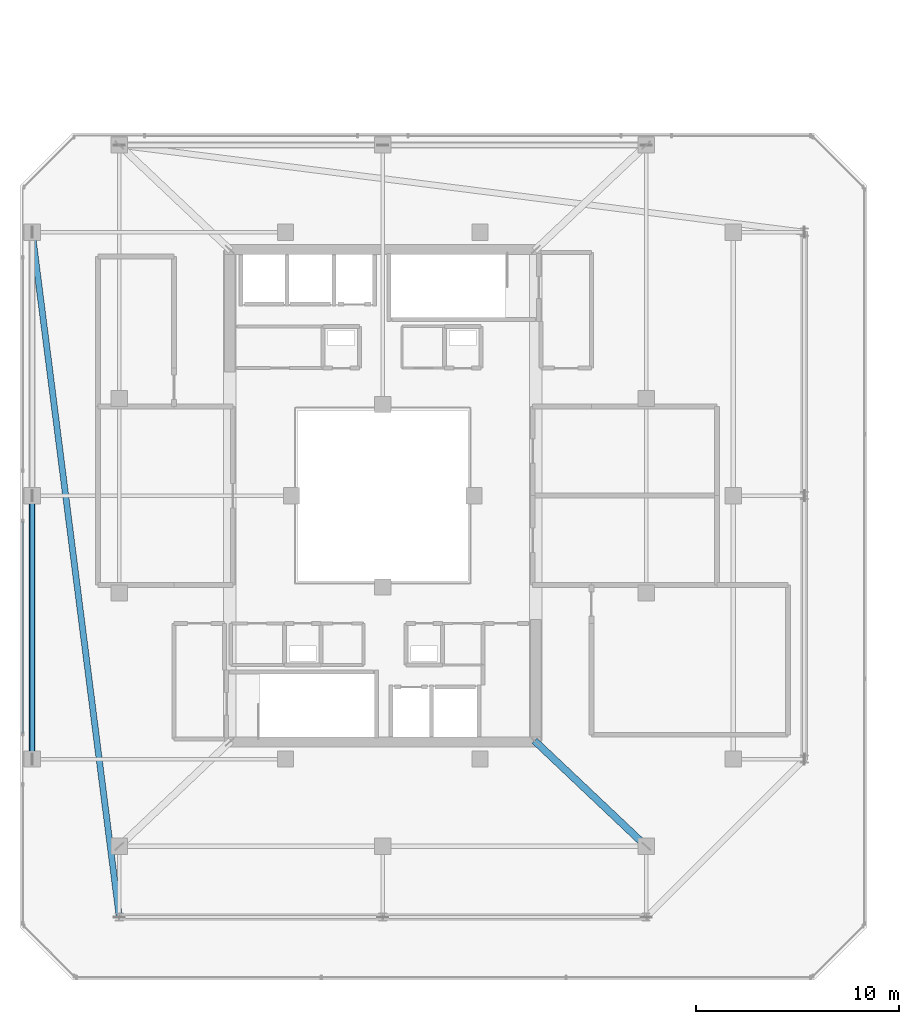
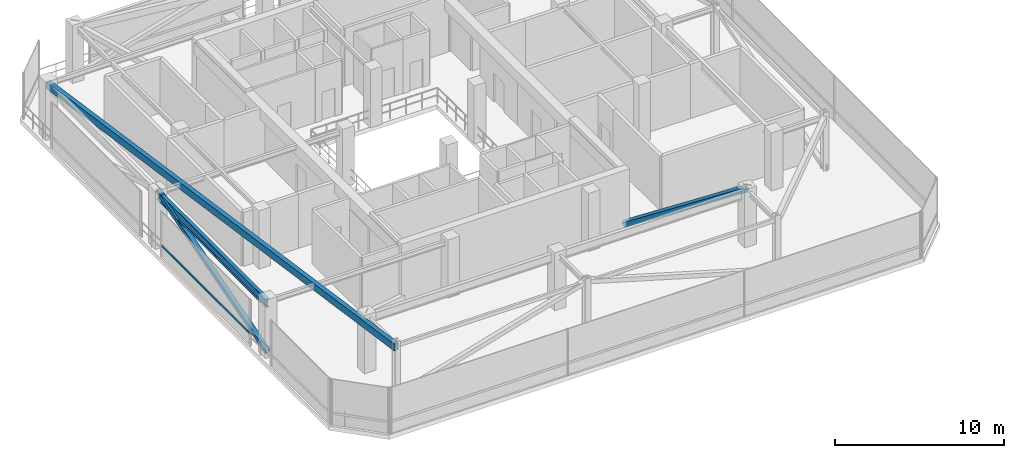
# One storey, part 9 of 47: 3 members, 2 beams, 1 element without a shape of its own.
"""IFC4 building model written with IfcOpenShell, lengths in metres."""

from ifc_helpers import new_model, si_unit, direction, frame, origin, origin_2d, place, context, subcontext, project, spatial, hollow_rectangle, i_section, extrude, material, material_profile, profile_set, type_object, element, aggregate, save


model = new_model("IFC4")

# Units and contexts
model_context = context("Model", 3, precision=1e-05, world=origin(), true_north=direction((0.0, 1.0)))
body_context = subcontext(model_context, "Body", "Model", "MODEL_VIEW")
ifc_project = project(units=[si_unit("LENGTHUNIT", "METRE"), si_unit("AREAUNIT", "SQUARE_METRE"), si_unit("VOLUMEUNIT", "CUBIC_METRE"), si_unit("PLANEANGLEUNIT", "RADIAN"), si_unit("MASSUNIT", "GRAM", prefix="KILO")], contexts=[model_context])

# Site, building, storey
site_placement = place(None, origin())
site = spatial("IfcSite", under=ifc_project, at=site_placement, CompositionType="ELEMENT")
building_placement = place(site_placement, origin())
building = spatial("IfcBuilding", under=site, at=building_placement, Name="Thornwick Lancets Civic Towers", CompositionType="ELEMENT")
storey_placement = place(building_placement, frame((0.0, 0.0, 279.89990234375)))
storey = spatial("IfcBuildingStorey", under=building, at=storey_placement, Name="C01", CompositionType="ELEMENT", Elevation=279.89990234375)

# Beams
ifc_material_1 = material(Name="Steel S355JR", Category="steel")
ifc_material_profile_1 = material_profile(ifc_material_1, i_section(OverallWidth=0.230224609375, OverallDepth=0.6171875, WebThickness=0.01318359375, FlangeThickness=0.022216796875, FilletRadius=0.0126953125, at=origin_2d()), Name="UKB 610x229x140")
ifc_profile_set_1 = profile_set([ifc_material_profile_1], Name="Steel S355JR")
beam_type_1 = type_object("IfcBeamType", Name="BM_GIRD_610_140", PredefinedType="BEAM", material=ifc_profile_set_1)
beam_1_placement = place(storey_placement, frame((8.199951171875, 14.0, 3.631591796875), z_axis=(0.0, 1.0, 0.0), x_axis=(-1.0, 0.0, 0.0)))
element("IfcBeam", 1, at=beam_1_placement, inside=storey, type_object=beam_type_1, Name="BM-SPINE-C01-A-9-10", PredefinedType="BEAM", context=body_context, shape_type="SweptSolid", body=[
    extrude(i_section(OverallWidth=0.230224609375, OverallDepth=0.6171875, WebThickness=0.01318359375, FlangeThickness=0.022216796875, FilletRadius=0.0126953125, at=origin_2d()), origin(), (0.0, 0.0, 1.0), 13.0),
])
ifc_material_2 = material(Name="Steel S460M", Category="steel")
ifc_material_profile_2 = material_profile(ifc_material_2, hollow_rectangle(XDim=0.300048828125, YDim=0.5, WallThickness=0.02001953125, at=origin_2d()), Name="RHS 500x300x20")
ifc_profile_set_2 = profile_set([ifc_material_profile_2], Name="Steel S460M")
beam_type_2 = type_object("IfcBeamType", Name="BM_RING_RHS500", PredefinedType="BEAM", material=ifc_profile_set_2)
beam_2_placement = place(storey_placement, frame((8.199951171875, 40.0, 3.690185546875), z_axis=(0.126202998662, -0.992004437051, 0.0), x_axis=(0.992004437051, 0.126202998662, 0.0)))
element("IfcBeam", 2, at=beam_2_placement, inside=storey, type_object=beam_type_2, Name="BM-CHAMF-C01-A-C3", PredefinedType="BEAM", context=body_context, shape_type="SweptSolid", body=[
    extrude(hollow_rectangle(XDim=0.300048828125, YDim=0.5, WallThickness=0.02001953125, at=origin_2d()), origin(), (0.0, 0.0, 1.0), 34.072509765625),
])

# Curtain wall, member
ifc_material_3 = material(Name="Crown ring acoustic-louvre and glazing screen wall", Category="glass")
curtain_wall_type = type_object("IfcCurtainWallType", Name="CW_SYS_07", PredefinedType="NOTDEFINED", material=ifc_material_3)
curtain_wall_placement = place(storey_placement, origin())
curtain_wall = element("IfcCurtainWall", 3, at=curtain_wall_placement, inside=storey, type_object=curtain_wall_type, Name="C01 Curtain Wall CW-C01-A-E6-S2", PredefinedType="NOTDEFINED")
ifc_material_4 = material(Name="Thermally broken bronze aluminium S355", Category="steel")
ifc_material_profile_3 = material_profile(ifc_material_4, hollow_rectangle(XDim=0.074951171875, YDim=0.14990234375, WallThickness=0.0048828125, at=origin_2d()), Name="RHS 150x75x5")
ifc_profile_set_3 = profile_set([ifc_material_profile_3], Name="Thermally broken bronze aluminium S355")
member_type_1 = type_object("IfcMemberType", Name="CW_TRN_150", PredefinedType="USERDEFINED", material=ifc_profile_set_3)
member_1_placement = place(storey_placement, frame((7.7353515625, 25.72998046875, 0.85009765625), z_axis=(0.0, -1.0, 0.0), x_axis=(1.0, 0.0, 0.0)))
member_1 = element("IfcMember", 4, at=member_1_placement, type_object=member_type_1, Name="CW-C01-A-E6-S2 Transom 0", ObjectType="TRANSOM", PredefinedType="USERDEFINED", context=body_context, shape_type="SweptSolid", body=[
    extrude(hollow_rectangle(XDim=0.074951171875, YDim=0.14990234375, WallThickness=0.0048828125, at=origin_2d()), origin(), (0.0, 0.0, 1.0), 10.4599609375),
])
aggregate(curtain_wall, [member_1])

# Members
ifc_material_profile_4 = material_profile(ifc_material_2, hollow_rectangle(XDim=0.300048828125, YDim=0.300048828125, WallThickness=0.01611328125, at=origin_2d()), Name="SHS 300x300x16")
ifc_profile_set_4 = profile_set([ifc_material_profile_4], Name="Steel S460M")
member_type_2 = type_object("IfcMemberType", Name="MEM_BELT_SHS300", PredefinedType="BRACE", material=ifc_profile_set_4)
member_2_placement = place(storey_placement, frame((8.199951171875, 14.0, 0.150146484375), z_axis=(0.0, 0.960032302388, 0.279889225178), x_axis=(-1.0, 0.0, 0.0)))
element("IfcMember", 5, at=member_2_placement, inside=storey, type_object=member_type_2, Name="C01 Belt Truss Diagonal A-S3-1", PredefinedType="BRACE", context=body_context, shape_type="SweptSolid", body=[
    extrude(hollow_rectangle(XDim=0.300048828125, YDim=0.300048828125, WallThickness=0.01611328125, at=origin_2d()), origin(), (0.0, 0.0, 1.0), 13.541259765625),
])
ifc_material_profile_5 = material_profile(ifc_material_2, hollow_rectangle(XDim=0.35009765625, YDim=0.35009765625, WallThickness=0.01611328125, at=origin_2d()), Name="SHS 350x350x16")
ifc_profile_set_5 = profile_set([ifc_material_profile_5], Name="Steel S460M")
member_type_3 = type_object("IfcMemberType", Name="MEM_OUTRIG_SHS350", PredefinedType="BRACE", material=ifc_profile_set_5)
member_3_placement = place(storey_placement, frame((33.050048828125, 14.85009765625, 0.150146484375), z_axis=(0.648664116628, -0.612980761558, 0.451098048942), x_axis=(0.686832880872, 0.726815378038, 0.0)))
element("IfcMember", 6, at=member_3_placement, inside=storey, type_object=member_type_3, Name="C01 Outrigger Brace A-1", PredefinedType="BRACE", context=body_context, shape_type="SweptSolid", body=[
    extrude(hollow_rectangle(XDim=0.35009765625, YDim=0.35009765625, WallThickness=0.01611328125, at=origin_2d()), origin(), (0.0, 0.0, 1.0), 8.40185546875),
])

save(model, "model.ifc")
